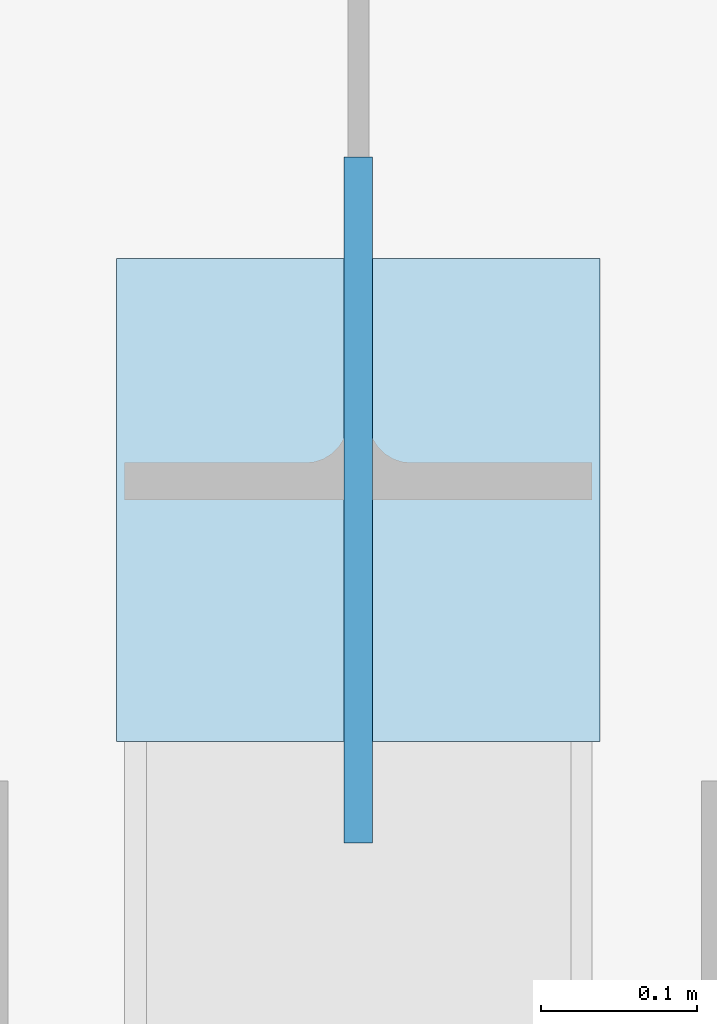
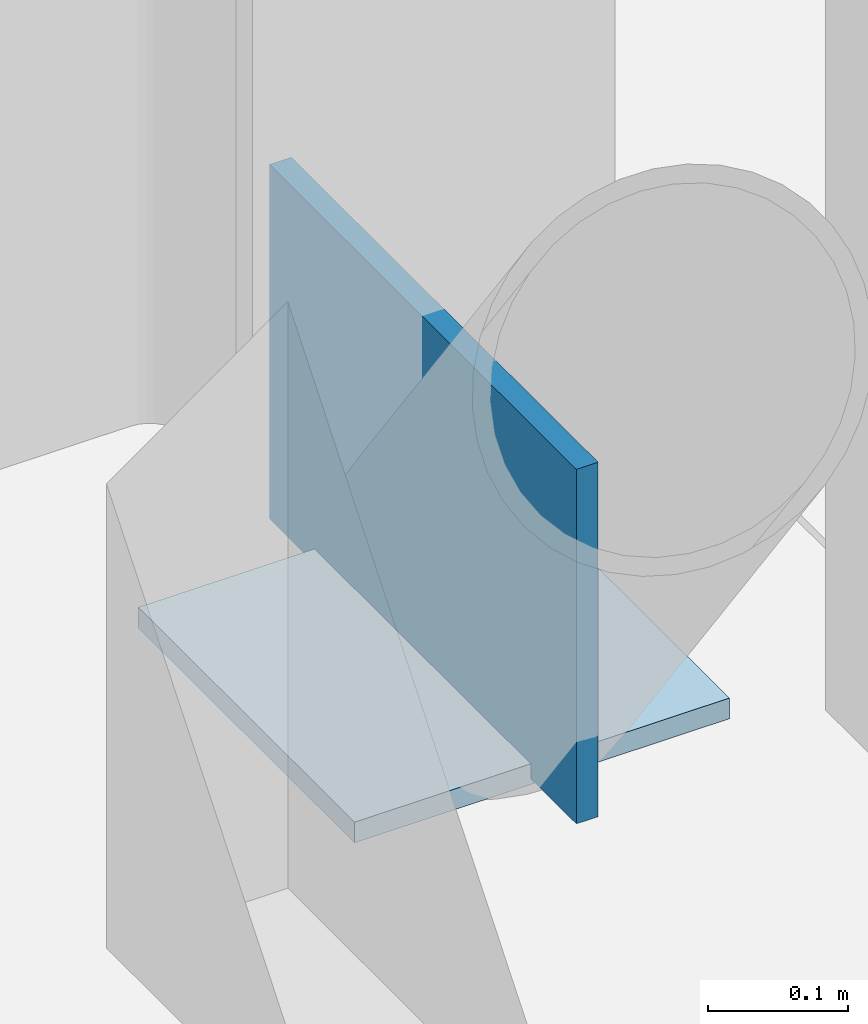
# One storey, part 55 of 89: 2 plates.
"""IFC4 building model written with IfcOpenShell, lengths in metres."""

from ifc_helpers import new_model, si_unit, direction, frame, origin, origin_2d, place, context, subcontext, project, spatial, rectangle, extrude, material, layer, layer_set, type_object, element, save


model = new_model("IFC4")

# Units and contexts
model_context = context("Model", 3, precision=1e-05, world=origin(), true_north=direction((0.0, 1.0)))
body_context = subcontext(model_context, "Body", "Model", "MODEL_VIEW")
ifc_project = project(units=[si_unit("LENGTHUNIT", "METRE"), si_unit("AREAUNIT", "SQUARE_METRE"), si_unit("VOLUMEUNIT", "CUBIC_METRE"), si_unit("PLANEANGLEUNIT", "RADIAN"), si_unit("MASSUNIT", "GRAM", prefix="KILO")], contexts=[model_context])

# Site, building, storey
site_placement = place(None, origin())
site = spatial("IfcSite", under=ifc_project, at=site_placement, CompositionType="ELEMENT")
building_placement = place(site_placement, origin())
building = spatial("IfcBuilding", under=site, at=building_placement, Name="Zarrinpeak Specialist Clinic", CompositionType="ELEMENT")
storey_placement = place(building_placement, origin())
storey = spatial("IfcBuildingStorey", under=building, at=storey_placement, Name="L00", CompositionType="ELEMENT", Elevation=0.0)

# Plates
ifc_material = material(Name="Steel S355", Category="steel")
ifc_layer_1 = layer(ifc_material, 0.01806640625)
ifc_layer_set_1 = layer_set([ifc_layer_1], Name="Steel S355")
plate_type_1 = type_object("IfcPlateType", Name="PL-CAP273", PredefinedType="SHEET", material=ifc_layer_set_1)
plate_1_placement = place(storey_placement, frame((14.39990234375, 64.60009765625, 0.0), z_axis=(0.0, 0.0, 1.0), x_axis=(1.0, 0.0, 0.0)))
element("IfcPlate", 1, at=plate_1_placement, inside=storey, type_object=plate_type_1, Name="V5 L00 Hollow Brace Foot Cap Plate B", PredefinedType="SHEET", context=body_context, shape_type="SweptSolid", body=[
    extrude(rectangle(XDim=0.31005859375, YDim=0.31005859375, at=origin_2d()), origin(), (0.0, 0.0, 1.0), 0.01806640625),
])
ifc_layer_2 = layer(ifc_material, 0.01806640625)
ifc_layer_set_2 = layer_set([ifc_layer_2], Name="Steel S355")
plate_type_2 = type_object("IfcPlateType", Name="PL-GN03", PredefinedType="SHEET", material=ifc_layer_set_2)
plate_2_placement = place(storey_placement, frame((14.39990234375, 64.60009765625, 0.0048828125), z_axis=(0.0, 0.0, 1.0), x_axis=(1.0, 0.0, 0.0)))
element("IfcPlate", 2, at=plate_2_placement, inside=storey, type_object=plate_type_2, Name="V5 L00 Brace Foot Gusset Plate GNF-V5-L00-B", PredefinedType="SHEET", context=body_context, shape_type="SweptSolid", body=[
    extrude(rectangle(XDim=0.01806640625, YDim=0.43994140625, at=origin_2d()), origin(), (0.0, 0.0, 1.0), 0.31005859375),
])

save(model, "model.ifc")
